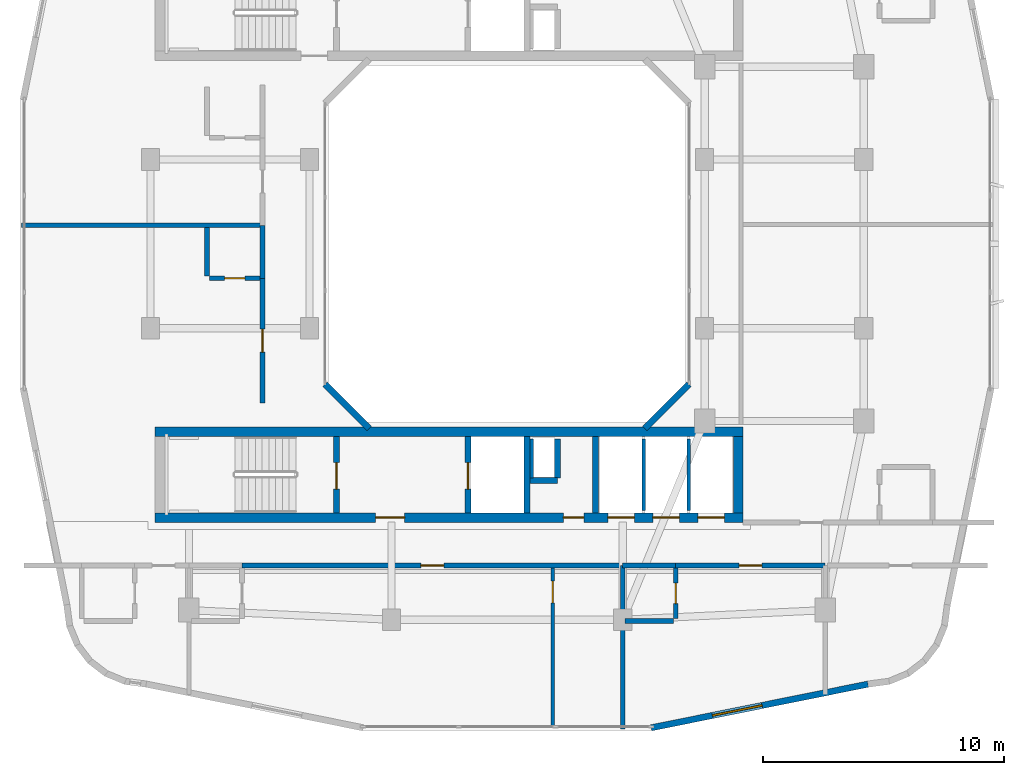
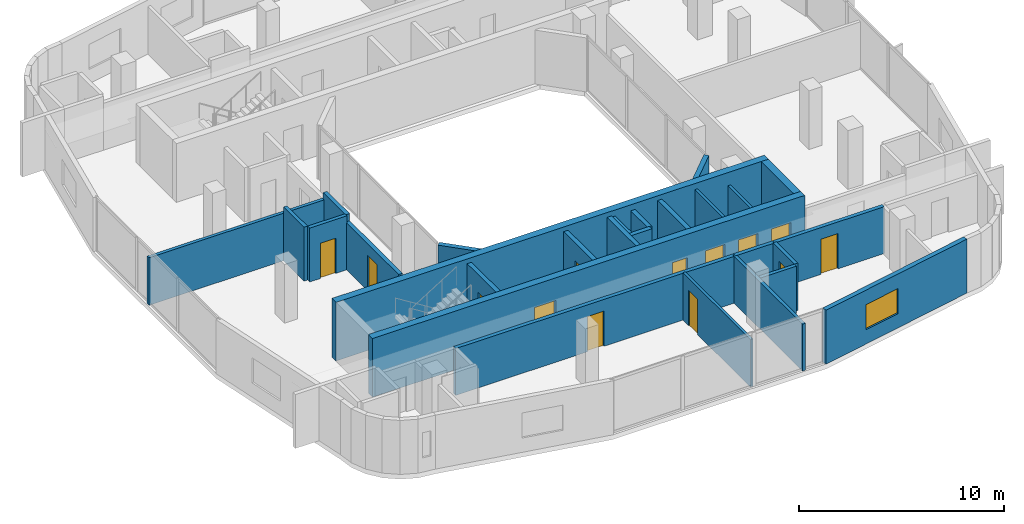
# One storey, part 7 of 14: 27 walls, 13 doors, 1 window, 14 openings.
"""IFC4 building model written with IfcOpenShell, lengths in metres."""

from ifc_helpers import new_model, si_unit, derived_unit, direction, frame, frame_2d, origin, place, context, subcontext, project, spatial, rectangle, extrude, material, layer, layer_set, type_object, element, fill, save


model = new_model("IFC4")

# Units and contexts
model_context = context("Model", 3, precision=1e-05, world=origin(), true_north=direction((0.0, 1.0)))
body_context = subcontext(model_context, "Body", "Model", "MODEL_VIEW")
ifc_project = project(units=[si_unit("LENGTHUNIT", "METRE"), si_unit("AREAUNIT", "SQUARE_METRE"), si_unit("VOLUMEUNIT", "CUBIC_METRE"), si_unit("PLANEANGLEUNIT", "RADIAN"), si_unit("MASSUNIT", "GRAM", prefix="KILO"), derived_unit("THERMALTRANSMITTANCEUNIT", [(si_unit("POWERUNIT", "WATT"), 1), (si_unit("LENGTHUNIT", "METRE"), -2), (si_unit("THERMODYNAMICTEMPERATUREUNIT", "KELVIN"), -1)])], contexts=[model_context])

# Site, building, storey
site_placement = place(None, origin())
site = spatial("IfcSite", under=ifc_project, at=site_placement, CompositionType="ELEMENT")
building_placement = place(site_placement, origin())
building = spatial("IfcBuilding", under=site, at=building_placement, Name="Kivonza Crest Hotel", CompositionType="ELEMENT")
storey_placement = place(building_placement, frame((0.0, 0.0, 141.5)))
storey = spatial("IfcBuildingStorey", under=building, at=storey_placement, Name="L38", CompositionType="ELEMENT", Elevation=141.5)

# Walls
ifc_material_1 = material(Name="High-density acoustic masonry inter-tenancy wall", Category="masonry")
ifc_layer_1 = layer(ifc_material_1, 0.179931640625)
ifc_layer_set_1 = layer_set([ifc_layer_1], Name="High-density acoustic masonry inter-tenancy wall")
wall_type_1 = type_object("IfcWallType", Name="WL-ACOU-180", PredefinedType="SOLIDWALL", material=ifc_layer_set_1)
wall_1_placement = place(storey_placement, frame((25.800048828125, 4.860107421875, 0.0), z_axis=(0.0, 0.0, 1.0), x_axis=(0.0, 1.0, 0.0)))
element("IfcWall", 1, at=wall_1_placement, inside=storey, type_object=wall_type_1, Name="L38 interior partition WA-L38-T1S-DIV2", PredefinedType="SOLIDWALL", context=body_context, shape_type="SweptSolid", body=[
    extrude(rectangle(XDim=6.789794921875, YDim=0.179931640625, at=frame_2d((3.39501953125, 0.0))), origin(), (0.0, 0.0, 1.0), 2.794921875),
])
wall_2_placement = place(storey_placement, frame((0.860107421875, 25.77001953125, 0.0), z_axis=(0.0, 0.0, 1.0), x_axis=(1.0, 0.0, 0.0)))
element("IfcWall", 2, at=wall_2_placement, inside=storey, type_object=wall_type_1, Name="L38 interior partition WA-L38-T1W-DIV1", PredefinedType="SOLIDWALL", context=body_context, shape_type="SweptSolid", body=[
    extrude(rectangle(XDim=9.989990234375, YDim=0.179931640625, at=frame_2d((4.9951171875, 0.0))), origin(), (0.0, 0.0, 1.0), 2.8349609375),
])

# Wall, opening, door
ifc_material_2 = material(Name="Autoclaved aerated concrete blockwork", Category="masonry")
ifc_layer_2 = layer(ifc_material_2, 0.219970703125)
ifc_layer_set_2 = layer_set([ifc_layer_2], Name="Autoclaved aerated concrete blockwork")
wall_type_2 = type_object("IfcWallType", Name="WL-ACOU-220", PredefinedType="SOLIDWALL", material=ifc_layer_set_2)
wall_3_placement = place(storey_placement, frame((10.0, 11.64990234375, 0.0), z_axis=(0.0, 0.0, 1.0), x_axis=(1.0, 0.0, 0.0)))
wall_3 = element("IfcWall", 3, at=wall_3_placement, inside=storey, type_object=wall_type_2, Name="L38 interior partition WA-L38-S05-MCORR", PredefinedType="SOLIDWALL", context=body_context, shape_type="SweptSolid", body=[
    extrude(rectangle(XDim=15.800048828125, YDim=0.219970703125, at=frame_2d((7.89990234375, 0.0))), origin(), (0.0, 0.0, 1.0), 2.794921875),
])
opening_1_placement = place(wall_3_placement, frame((7.425048828125, 0.0, 0.0)))
opening_1 = element("IfcOpeningElement", 4, at=opening_1_placement, cuts=wall_3, Name="Opening DU-60", PredefinedType="OPENING", context=body_context, shape_type="SweptSolid", body=[
    extrude(rectangle(XDim=0.949951171875, YDim=2.10009765625, at=frame_2d((0.47509765625, 1.050048828125))), frame((0.0, 0.1201171875, 0.0), z_axis=(0.0, -1.0, 0.0), x_axis=(1.0, 0.0, 0.0)), (0.0, 0.0, 1.0), 0.239990234375),
])
ifc_material_3 = material(Name="Hardwood timber oak", Category="wood")
door_type_1 = type_object("IfcDoorType", Name="DR-UNIT-950", OperationType="NOTDEFINED", PredefinedType="DOOR", material=ifc_material_3)
door_1_placement = place(opening_1_placement, frame((0.949951171875, 0.0, 0.0), z_axis=(0.0, 0.0, 1.0), x_axis=(-1.0, 0.0, 0.0)))
door_1 = element("IfcDoor", 5, at=door_1_placement, inside=storey, type_object=door_type_1, Name="L38 S05 guest unit entrance fire door", OperationType="SINGLE_SWING_LEFT", OverallHeight=2.10009765625, OverallWidth=0.949951171875, PredefinedType="DOOR", context=body_context, shape_type="SweptSolid", body=[
    extrude(rectangle(XDim=0.949951171875, YDim=2.10009765625, at=frame_2d((0.47509765625, 1.050048828125))), frame((0.0, 0.02490234375, 0.0), z_axis=(0.0, -1.0, 0.0), x_axis=(1.0, 0.0, 0.0)), (0.0, 0.0, 1.0), 0.050048828125),
])
fill(opening_1, door_1)

# Wall
wall_4_placement = place(storey_placement, frame((25.800048828125, 11.64990234375, 0.0), z_axis=(0.0, 0.0, 1.0), x_axis=(1.0, 0.0, 0.0)))
element("IfcWall", 6, at=wall_4_placement, inside=storey, type_object=wall_type_2, Name="L38 interior partition WA-L38-S06-BCORR", PredefinedType="SOLIDWALL", context=body_context, shape_type="SweptSolid", body=[
    extrude(rectangle(XDim=2.199951171875, YDim=0.219970703125, at=frame_2d((1.10009765625, 0.0))), origin(), (0.0, 0.0, 1.0), 2.794921875),
])

# Wall, opening, door
wall_5_placement = place(storey_placement, frame((28.0, 11.64990234375, 0.0), z_axis=(0.0, 0.0, 1.0), x_axis=(1.0, 0.0, 0.0)))
wall_5 = element("IfcWall", 7, at=wall_5_placement, inside=storey, type_object=wall_type_2, Name="L38 interior partition WA-L38-S06-MCORR", PredefinedType="SOLIDWALL", context=body_context, shape_type="SweptSolid", body=[
    extrude(rectangle(XDim=6.199951171875, YDim=0.219970703125, at=frame_2d((3.10009765625, 0.0))), origin(), (0.0, 0.0, 1.0), 2.794921875),
])
opening_2_placement = place(wall_5_placement, frame((2.625, 0.0, 0.0)))
opening_2 = element("IfcOpeningElement", 8, at=opening_2_placement, cuts=wall_5, Name="Opening DU-60", PredefinedType="OPENING", context=body_context, shape_type="SweptSolid", body=[
    extrude(rectangle(XDim=0.949951171875, YDim=2.10009765625, at=frame_2d((0.47509765625, 1.050048828125))), frame((0.0, 0.1201171875, 0.0), z_axis=(0.0, -1.0, 0.0), x_axis=(1.0, 0.0, 0.0)), (0.0, 0.0, 1.0), 0.239990234375),
])
door_2_placement = place(opening_2_placement, frame((0.949951171875, 0.0, 0.0), z_axis=(0.0, 0.0, 1.0), x_axis=(-1.0, 0.0, 0.0)))
door_2 = element("IfcDoor", 9, at=door_2_placement, inside=storey, type_object=door_type_1, Name="L38 S06 guest unit entrance fire door", OperationType="SINGLE_SWING_RIGHT", OverallHeight=2.10009765625, OverallWidth=0.949951171875, PredefinedType="DOOR", context=body_context, shape_type="SweptSolid", body=[
    extrude(rectangle(XDim=0.949951171875, YDim=2.10009765625, at=frame_2d((0.47509765625, 1.050048828125))), frame((0.0, 0.02490234375, 0.0), z_axis=(0.0, -1.0, 0.0), x_axis=(1.0, 0.0, 0.0)), (0.0, 0.0, 1.0), 0.050048828125),
])
fill(opening_2, door_2)

# Wall
wall_6_placement = place(storey_placement, frame((10.85009765625, 23.570068359375, 0.0), z_axis=(0.0, 0.0, 1.0), x_axis=(0.0, 1.0, 0.0)))
element("IfcWall", 10, at=wall_6_placement, inside=storey, type_object=wall_type_2, Name="L38 interior partition WA-L38-W07-BCORR", PredefinedType="SOLIDWALL", context=body_context, shape_type="SweptSolid", body=[
    extrude(rectangle(XDim=2.199951171875, YDim=0.219970703125, at=frame_2d((1.10009765625, 0.0))), origin(), (0.0, 0.0, 1.0), 3.219970703125),
])

# Wall, opening, door
wall_7_placement = place(storey_placement, frame((10.85009765625, 18.39990234375, 0.0), z_axis=(0.0, 0.0, 1.0), x_axis=(0.0, 1.0, 0.0)))
wall_7 = element("IfcWall", 11, at=wall_7_placement, inside=storey, type_object=wall_type_2, Name="L38 interior partition WA-L38-W07-MCORR", PredefinedType="SOLIDWALL", context=body_context, shape_type="SweptSolid", body=[
    extrude(rectangle(XDim=5.170166015625, YDim=0.219970703125, at=frame_2d((2.5849609375, 0.0))), origin(), (0.0, 0.0, 1.0), 2.794921875),
])
opening_3_placement = place(wall_7_placement, frame((2.110107421875, 0.0, 0.0)))
opening_3 = element("IfcOpeningElement", 12, at=opening_3_placement, cuts=wall_7, Name="Opening DU-60", PredefinedType="OPENING", context=body_context, shape_type="SweptSolid", body=[
    extrude(rectangle(XDim=0.949951171875, YDim=2.10009765625, at=frame_2d((0.47509765625, 1.050048828125))), frame((0.0, 0.1201171875, 0.0), z_axis=(0.0, -1.0, 0.0), x_axis=(1.0, 0.0, 0.0)), (0.0, 0.0, 1.0), 0.239990234375),
])
door_3_placement = place(opening_3_placement, origin())
door_3 = element("IfcDoor", 13, at=door_3_placement, inside=storey, type_object=door_type_1, Name="L38 W07 guest unit entrance fire door", OperationType="SINGLE_SWING_LEFT", OverallHeight=2.10009765625, OverallWidth=0.949951171875, PredefinedType="DOOR", context=body_context, shape_type="SweptSolid", body=[
    extrude(rectangle(XDim=0.949951171875, YDim=2.10009765625, at=frame_2d((0.47509765625, 1.050048828125))), frame((0.0, 0.02490234375, 0.0), z_axis=(0.0, -1.0, 0.0), x_axis=(1.0, 0.0, 0.0)), (0.0, 0.0, 1.0), 0.050048828125),
])
fill(opening_3, door_3)

# Wall, openings, doors
ifc_material_4 = material(Name="Concrete C50/60", Category="concrete")
ifc_layer_3 = layer(ifc_material_4, 0.39990234375)
ifc_layer_set_3 = layer_set([ifc_layer_3], Name="Concrete C50/60")
wall_type_3 = type_object("IfcWallType", Name="WL-CORE-400", PredefinedType="SHEAR", material=ifc_layer_set_3)
wall_8_placement = place(storey_placement, frame((6.39990234375, 13.639892578125, 0.0), z_axis=(0.0, 0.0, 1.0), x_axis=(1.0, 0.0, 0.0)))
wall_8 = element("IfcWall", 14, at=wall_8_placement, inside=storey, type_object=wall_type_3, Name="Core wall T1-S South L38", PredefinedType="SHEAR", context=body_context, shape_type="SweptSolid", body=[
    extrude(rectangle(XDim=24.400146484375, YDim=0.39990234375, at=frame_2d((12.2001953125, 0.0))), origin(), (0.0, 0.0, 1.0), 3.5),
])
opening_4_placement = place(wall_8_placement, frame((9.14990234375, 0.0, 0.0)))
opening_4 = element("IfcOpeningElement", 15, at=opening_4_placement, cuts=wall_8, Name="Opening DF-60", PredefinedType="OPENING", context=body_context, shape_type="SweptSolid", body=[
    extrude(rectangle(XDim=1.199951171875, YDim=2.14990234375, at=frame_2d((0.60009765625, 1.074951171875))), frame((0.0, 0.2099609375, 0.0), z_axis=(0.0, -1.0, 0.0), x_axis=(1.0, 0.0, 0.0)), (0.0, 0.0, 1.0), 0.419921875),
])
opening_5_placement = place(wall_8_placement, frame((16.93994140625, 0.0, 0.0)))
opening_5 = element("IfcOpeningElement", 16, at=opening_5_placement, cuts=wall_8, Name="Opening DF-60R", PredefinedType="OPENING", context=body_context, shape_type="SweptSolid", body=[
    extrude(rectangle(XDim=0.85009765625, YDim=2.10009765625, at=frame_2d((0.425048828125, 1.050048828125))), frame((0.0, 0.2099609375, 0.0), z_axis=(0.0, -1.0, 0.0), x_axis=(1.0, 0.0, 0.0)), (0.0, 0.0, 1.0), 0.419921875),
])
opening_6_placement = place(wall_8_placement, frame((18.782958984375, 0.0, 0.0)))
opening_6 = element("IfcOpeningElement", 17, at=opening_6_placement, cuts=wall_8, Name="Opening LD-120", PredefinedType="OPENING", context=body_context, shape_type="SweptSolid", body=[
    extrude(rectangle(XDim=1.10009765625, YDim=2.14990234375, at=frame_2d((0.550048828125, 1.074951171875))), frame((0.0, 0.2099609375, 0.0), z_axis=(0.0, -1.0, 0.0), x_axis=(1.0, 0.0, 0.0)), (0.0, 0.0, 1.0), 0.419921875),
])
opening_7_placement = place(wall_8_placement, frame((20.64990234375, 0.0, 0.0)))
opening_7 = element("IfcOpeningElement", 18, at=opening_7_placement, cuts=wall_8, Name="Opening LD-120", PredefinedType="OPENING", context=body_context, shape_type="SweptSolid", body=[
    extrude(rectangle(XDim=1.10009765625, YDim=2.14990234375, at=frame_2d((0.550048828125, 1.074951171875))), frame((0.0, 0.2099609375, 0.0), z_axis=(0.0, -1.0, 0.0), x_axis=(1.0, 0.0, 0.0)), (0.0, 0.0, 1.0), 0.419921875),
])
opening_8_placement = place(wall_8_placement, frame((22.51708984375, 0.0, 0.0)))
opening_8 = element("IfcOpeningElement", 19, at=opening_8_placement, cuts=wall_8, Name="Opening LD-120", PredefinedType="OPENING", context=body_context, shape_type="SweptSolid", body=[
    extrude(rectangle(XDim=1.10009765625, YDim=2.14990234375, at=frame_2d((0.550048828125, 1.074951171875))), frame((0.0, 0.2099609375, 0.0), z_axis=(0.0, -1.0, 0.0), x_axis=(1.0, 0.0, 0.0)), (0.0, 0.0, 1.0), 0.419921875),
])
door_type_2 = type_object("IfcDoorType", Name="DR-FD60-1200", OperationType="NOTDEFINED", PredefinedType="DOOR", material=ifc_material_3)
door_4_placement = place(opening_4_placement, frame((1.199951171875, 0.0, 0.0), z_axis=(0.0, 0.0, 1.0), x_axis=(-1.0, 0.0, 0.0)))
door_4 = element("IfcDoor", 20, at=door_4_placement, inside=storey, type_object=door_type_2, Name="L38 T1-S firefighting lobby fire door", OperationType="SINGLE_SWING_LEFT", OverallHeight=2.14990234375, OverallWidth=1.199951171875, PredefinedType="DOOR", context=body_context, shape_type="SweptSolid", body=[
    extrude(rectangle(XDim=1.199951171875, YDim=2.14990234375, at=frame_2d((0.60009765625, 1.074951171875))), frame((0.0, 0.02490234375, 0.0), z_axis=(0.0, -1.0, 0.0), x_axis=(1.0, 0.0, 0.0)), (0.0, 0.0, 1.0), 0.050048828125),
])
fill(opening_4, door_4)
door_type_3 = type_object("IfcDoorType", Name="DR-FD60-850", OperationType="NOTDEFINED", PredefinedType="DOOR", material=ifc_material_3)
door_5_placement = place(opening_5_placement, frame((0.85009765625, 0.0, 0.0), z_axis=(0.0, 0.0, 1.0), x_axis=(-1.0, 0.0, 0.0)))
door_5 = element("IfcDoor", 21, at=door_5_placement, inside=storey, type_object=door_type_3, Name="L38 T1-S core room door", OperationType="SINGLE_SWING_RIGHT", OverallHeight=2.10009765625, OverallWidth=0.85009765625, PredefinedType="DOOR", context=body_context, shape_type="SweptSolid", body=[
    extrude(rectangle(XDim=0.85009765625, YDim=2.10009765625, at=frame_2d((0.425048828125, 1.050048828125))), frame((0.0, 0.02490234375, 0.0), z_axis=(0.0, -1.0, 0.0), x_axis=(1.0, 0.0, 0.0)), (0.0, 0.0, 1.0), 0.050048828125),
])
fill(opening_5, door_5)
ifc_material_5 = material(Name="Stainless steel", Category="steel")
door_type_4 = type_object("IfcDoorType", Name="DR-LD120-1100", OperationType="NOTDEFINED", PredefinedType="DOOR", material=ifc_material_5)
door_6_placement = place(opening_6_placement, frame((1.10009765625, 0.0, 0.0), z_axis=(0.0, 0.0, 1.0), x_axis=(-1.0, 0.0, 0.0)))
door_6 = element("IfcDoor", 22, at=door_6_placement, inside=storey, type_object=door_type_4, Name="L38 PL-T1-H1 passenger lift sliding landing door", OperationType="DOUBLE_DOOR_SLIDING", OverallHeight=2.14990234375, OverallWidth=1.10009765625, PredefinedType="DOOR", context=body_context, shape_type="SweptSolid", body=[
    extrude(rectangle(XDim=1.10009765625, YDim=2.14990234375, at=frame_2d((0.550048828125, 1.074951171875))), frame((0.0, 0.02490234375, 0.0), z_axis=(0.0, -1.0, 0.0), x_axis=(1.0, 0.0, 0.0)), (0.0, 0.0, 1.0), 0.050048828125),
])
fill(opening_6, door_6)
door_7_placement = place(opening_7_placement, frame((1.10009765625, 0.0, 0.0), z_axis=(0.0, 0.0, 1.0), x_axis=(-1.0, 0.0, 0.0)))
door_7 = element("IfcDoor", 23, at=door_7_placement, inside=storey, type_object=door_type_4, Name="L38 PL-T1-H2 passenger lift sliding landing door", OperationType="DOUBLE_DOOR_SLIDING", OverallHeight=2.14990234375, OverallWidth=1.10009765625, PredefinedType="DOOR", context=body_context, shape_type="SweptSolid", body=[
    extrude(rectangle(XDim=1.10009765625, YDim=2.14990234375, at=frame_2d((0.550048828125, 1.074951171875))), frame((0.0, 0.02490234375, 0.0), z_axis=(0.0, -1.0, 0.0), x_axis=(1.0, 0.0, 0.0)), (0.0, 0.0, 1.0), 0.050048828125),
])
fill(opening_7, door_7)
door_8_placement = place(opening_8_placement, frame((1.10009765625, 0.0, 0.0), z_axis=(0.0, 0.0, 1.0), x_axis=(-1.0, 0.0, 0.0)))
door_8 = element("IfcDoor", 24, at=door_8_placement, inside=storey, type_object=door_type_4, Name="L38 PL-T1-H3 passenger lift sliding landing door", OperationType="DOUBLE_DOOR_SLIDING", OverallHeight=2.14990234375, OverallWidth=1.10009765625, PredefinedType="DOOR", context=body_context, shape_type="SweptSolid", body=[
    extrude(rectangle(XDim=1.10009765625, YDim=2.14990234375, at=frame_2d((0.550048828125, 1.074951171875))), frame((0.0, 0.02490234375, 0.0), z_axis=(0.0, -1.0, 0.0), x_axis=(1.0, 0.0, 0.0)), (0.0, 0.0, 1.0), 0.050048828125),
])
fill(opening_8, door_8)

# Walls
wall_9_placement = place(storey_placement, frame((6.39990234375, 17.199951171875, 0.0), z_axis=(0.0, 0.0, 1.0), x_axis=(1.0, 0.0, 0.0)))
element("IfcWall", 25, at=wall_9_placement, inside=storey, type_object=wall_type_3, Name="Core wall T1-S North L38", PredefinedType="SHEAR", context=body_context, shape_type="SweptSolid", body=[
    extrude(rectangle(XDim=24.400146484375, YDim=0.39990234375, at=frame_2d((12.2001953125, 0.0))), origin(), (0.0, 0.0, 1.0), 3.5),
])
wall_10_placement = place(storey_placement, frame((30.60009765625, 13.840087890625, 0.0), z_axis=(0.0, 0.0, 1.0), x_axis=(0.0, 1.0, 0.0)))
element("IfcWall", 26, at=wall_10_placement, inside=storey, type_object=wall_type_3, Name="Core wall T1-S East L38", PredefinedType="SHEAR", context=body_context, shape_type="SweptSolid", body=[
    extrude(rectangle(XDim=3.159912109375, YDim=0.39990234375, at=frame_2d((1.580078125, 0.0))), origin(), (0.0, 0.0, 1.0), 3.5),
])

# Wall, opening, window
ifc_material_6 = material(Name="Precast concrete C40/50", Category="concrete")
ifc_layer_4 = layer(ifc_material_6, 0.260009765625)
ifc_layer_set_4 = layer_set([ifc_layer_4], Name="Precast concrete C40/50")
wall_type_4 = type_object("IfcWallType", Name="WL-EXT-260", PredefinedType="STANDARD", material=ifc_layer_set_4)
wall_11_placement = place(storey_placement, frame((26.97998046875, 4.916015625, 0.0), z_axis=(0.0, 0.0, 1.0), x_axis=(0.980315963543, 0.197435082048, 0.0)))
wall_11 = element("IfcWall", 27, at=wall_11_placement, inside=storey, type_object=wall_type_4, Name="L38 T1 exterior insulated wall 9", PredefinedType="STANDARD", context=body_context, shape_type="SweptSolid", body=[
    extrude(rectangle(XDim=9.1826171875, YDim=0.260009765625, at=frame_2d((4.59130859375, 0.0))), origin(), (0.0, 0.0, 1.0), 3.219970703125),
])
opening_9_placement = place(wall_11_placement, frame((2.594970703125, 0.0, 0.85009765625)))
opening_9 = element("IfcOpeningElement", 28, at=opening_9_placement, cuts=wall_11, Name="Opening WN-04", PredefinedType="OPENING", context=body_context, shape_type="SweptSolid", body=[
    extrude(rectangle(XDim=2.10009765625, YDim=1.5, at=frame_2d((1.050048828125, 0.75))), frame((0.0, 0.14013671875, 0.0), z_axis=(0.0, -1.0, 0.0), x_axis=(1.0, 0.0, 0.0)), (0.0, 0.0, 1.0), 0.280029296875),
])
ifc_material_7 = material(Name="Thermally broken bronze aluminium and low-E double glazing", Category="aluminium")
window_type = type_object("IfcWindowType", Name="WN-210x150", PartitioningType="DOUBLE_PANEL_VERTICAL", PredefinedType="WINDOW", material=ifc_material_7)
window_placement = place(opening_9_placement, origin())
window = element("IfcWindow", 29, at=window_placement, inside=storey, type_object=window_type, Name="L38 T1 facade window 9", OverallHeight=1.5, OverallWidth=2.10009765625, PartitioningType="SINGLE_PANEL", PredefinedType="WINDOW", context=body_context, shape_type="SweptSolid", body=[
    extrude(rectangle(XDim=2.10009765625, YDim=1.5, at=frame_2d((1.050048828125, 0.75))), frame((0.0, 0.030029296875, 0.0), z_axis=(0.0, -1.0, 0.0), x_axis=(1.0, 0.0, 0.0)), (0.0, 0.0, 1.0), 0.06005859375),
])
fill(opening_9, window)

# Walls
for number, where, z_axis, x_axis, name in (
    (30, (26.721923828125, 17.337890625, 0.0), (0.0, 0.0, 1.0), (0.707059717605, 0.707153841636, 0.0), "L38 T1 light-well exterior wall 2"),
    (31, (13.444091796875, 19.172119140625, 0.0), (0.0, 0.0, 1.0), (0.707059717605, -0.707153841636, 0.0), "L38 T1 light-well exterior wall 8"),
):
    element("IfcWall", number, at=place(storey_placement, frame(where, z_axis=z_axis, x_axis=x_axis)), inside=storey, type_object=wall_type_4, Name=name, PredefinedType="STANDARD", context=body_context, shape_type="SweptSolid", body=[
        extrude(rectangle(XDim=2.59375, YDim=0.260009765625, at=frame_2d((1.296875, 0.0))), origin(), (0.0, 0.0, 1.0), 3.219970703125),
    ])
ifc_material_8 = material(Name="Concrete blockwork fire-compartment wall", Category="masonry")
ifc_layer_5 = layer(ifc_material_8, 0.25)
ifc_layer_set_5 = layer_set([ifc_layer_5], Name="Concrete blockwork fire-compartment wall")
wall_type_5 = type_object("IfcWallType", Name="WL-FIRE-250", PredefinedType="SOLIDWALL", material=ifc_layer_set_5)
wall_12_placement = place(storey_placement, frame((23.10009765625, 15.280029296875, 0.0), z_axis=(0.0, 0.0, 1.0), x_axis=(0.0, 1.0, 0.0)))
element("IfcWall", 32, at=wall_12_placement, inside=storey, type_object=wall_type_5, Name="L38 interior partition WA-L38-T1-S-MEPR-E", PredefinedType="SOLIDWALL", context=body_context, shape_type="SweptSolid", body=[
    extrude(rectangle(XDim=1.619873046875, YDim=0.25, at=frame_2d((0.81005859375, 0.0))), origin(), (0.0, 0.0, 1.0), 3.219970703125),
])
wall_13_placement = place(storey_placement, frame((21.949951171875, 15.179931640625, 0.0), z_axis=(0.0, 0.0, 1.0), x_axis=(1.0, 0.0, 0.0)))
element("IfcWall", 33, at=wall_13_placement, inside=storey, type_object=wall_type_5, Name="L38 interior partition WA-L38-T1-S-MEPR-H", PredefinedType="SOLIDWALL", context=body_context, shape_type="SweptSolid", body=[
    extrude(rectangle(XDim=1.150146484375, YDim=0.25, at=frame_2d((0.5751953125, 0.0))), origin(), (0.0, 0.0, 1.0), 3.219970703125),
])
ifc_material_9 = material(Name="Twin-stud acoustic gypsum board partition", Category="gypsum")
ifc_layer_6 = layer(ifc_material_9, 0.14990234375)
ifc_layer_set_6 = layer_set([ifc_layer_6], Name="Twin-stud acoustic gypsum board partition")
wall_type_6 = type_object("IfcWallType", Name="WL-PART-150", PredefinedType="PARTITIONING", material=ifc_layer_set_6)
wall_14_placement = place(storey_placement, frame((22.030029296875, 15.280029296875, 0.0), z_axis=(0.0, 0.0, 1.0), x_axis=(0.0, 1.0, 0.0)))
element("IfcWall", 34, at=wall_14_placement, inside=storey, type_object=wall_type_6, Name="L38 interior partition WA-L38-T1-S-MEPR-W", PredefinedType="PARTITIONING", context=body_context, shape_type="SweptSolid", body=[
    extrude(rectangle(XDim=1.619873046875, YDim=0.14990234375, at=frame_2d((0.81005859375, 0.0))), origin(), (0.0, 0.0, 1.0), 3.219970703125),
])
wall_15_placement = place(storey_placement, frame((26.6669921875, 13.93994140625, 0.0), z_axis=(0.0, 0.0, 1.0), x_axis=(0.0, 1.0, 0.0)))
element("IfcWall", 35, at=wall_15_placement, inside=storey, type_object=wall_type_6, Name="L38 interior partition WP-L38-T1-S-BSH-1", PredefinedType="PARTITIONING", context=body_context, shape_type="SweptSolid", body=[
    extrude(rectangle(XDim=2.9599609375, YDim=0.14990234375, at=frame_2d((1.47998046875, 0.0))), origin(), (0.0, 0.0, 1.0), 3.219970703125),
])
wall_16_placement = place(storey_placement, frame((28.532958984375, 13.93994140625, 0.0), z_axis=(0.0, 0.0, 1.0), x_axis=(0.0, 1.0, 0.0)))
element("IfcWall", 36, at=wall_16_placement, inside=storey, type_object=wall_type_6, Name="L38 interior partition WP-L38-T1-S-BSH-2", PredefinedType="PARTITIONING", context=body_context, shape_type="SweptSolid", body=[
    extrude(rectangle(XDim=2.9599609375, YDim=0.14990234375, at=frame_2d((1.47998046875, 0.0))), origin(), (0.0, 0.0, 1.0), 2.794921875),
])

# Wall, opening, door
wall_17_placement = place(storey_placement, frame((22.89990234375, 4.9599609375, 0.0), z_axis=(0.0, 0.0, 1.0), x_axis=(0.0, 1.0, 0.0)))
wall_17 = element("IfcWall", 37, at=wall_17_placement, inside=storey, type_object=wall_type_6, Name="L38 interior partition WP-L38-S05-SPSP", PredefinedType="PARTITIONING", context=body_context, shape_type="SweptSolid", body=[
    extrude(rectangle(XDim=6.590087890625, YDim=0.14990234375, at=frame_2d((3.294921875, 0.0))), origin(), (0.0, 0.0, 1.0), 2.8349609375),
])
opening_10_placement = place(wall_17_placement, frame((5.139892578125, 0.0, 0.0)))
opening_10 = element("IfcOpeningElement", 38, at=opening_10_placement, cuts=wall_17, Name="Opening DI-90", PredefinedType="OPENING", context=body_context, shape_type="SweptSolid", body=[
    extrude(rectangle(XDim=0.89990234375, YDim=2.10009765625, at=frame_2d((0.449951171875, 1.050048828125))), frame((0.0, 0.0849609375, 0.0), z_axis=(0.0, -1.0, 0.0), x_axis=(1.0, 0.0, 0.0)), (0.0, 0.0, 1.0), 0.169921875),
])
door_type_5 = type_object("IfcDoorType", Name="DR-INT-900", OperationType="NOTDEFINED", PredefinedType="DOOR", material=ifc_material_3)
door_9_placement = place(opening_10_placement, origin())
door_9 = element("IfcDoor", 39, at=door_9_placement, inside=storey, type_object=door_type_5, Name="L38 S05 suite bedroom door", OperationType="SINGLE_SWING_RIGHT", OverallHeight=2.10009765625, OverallWidth=0.89990234375, PredefinedType="DOOR", context=body_context, shape_type="SweptSolid", body=[
    extrude(rectangle(XDim=0.89990234375, YDim=2.10009765625, at=frame_2d((0.449951171875, 1.050048828125))), frame((0.0, 0.02490234375, 0.0), z_axis=(0.0, -1.0, 0.0), x_axis=(1.0, 0.0, 0.0)), (0.0, 0.0, 1.0), 0.050048828125),
])
fill(opening_10, door_9)

ifc_material_10 = material(Name="Moisture-resistant plumbing chase partition wall", Category="gypsum")
ifc_layer_7 = layer(ifc_material_10, 0.199951171875)
ifc_layer_set_7 = layer_set([ifc_layer_7], Name="Moisture-resistant plumbing chase partition wall")
wall_type_7 = type_object("IfcWallType", Name="WL-PLUMB-200", PredefinedType="PLUMBINGWALL", material=ifc_layer_set_7)
wall_18_placement = place(storey_placement, frame((28.0, 9.449951171875, 0.0), z_axis=(0.0, 0.0, 1.0), x_axis=(0.0, 1.0, 0.0)))
wall_18 = element("IfcWall", 40, at=wall_18_placement, inside=storey, type_object=wall_type_7, Name="L38 interior partition WW-L38-S06-BV", PredefinedType="PLUMBINGWALL", context=body_context, shape_type="SweptSolid", body=[
    extrude(rectangle(XDim=2.10009765625, YDim=0.199951171875, at=frame_2d((1.050048828125, 0.0))), origin(), (0.0, 0.0, 1.0), 2.8349609375),
])
opening_11_placement = place(wall_18_placement, frame((0.625, 0.0, 0.0)))
opening_11 = element("IfcOpeningElement", 41, at=opening_11_placement, cuts=wall_18, Name="Opening DI-85", PredefinedType="OPENING", context=body_context, shape_type="SweptSolid", body=[
    extrude(rectangle(XDim=0.85009765625, YDim=2.10009765625, at=frame_2d((0.425048828125, 1.050048828125))), frame((0.0, 0.10986328125, 0.0), z_axis=(0.0, -1.0, 0.0), x_axis=(1.0, 0.0, 0.0)), (0.0, 0.0, 1.0), 0.219970703125),
])
door_type_6 = type_object("IfcDoorType", Name="DR-INT-850", OperationType="NOTDEFINED", PredefinedType="DOOR", material=ifc_material_3)
door_10_placement = place(opening_11_placement, frame((0.85009765625, 0.0, 0.0), z_axis=(0.0, 0.0, 1.0), x_axis=(-1.0, 0.0, 0.0)))
door_10 = element("IfcDoor", 42, at=door_10_placement, inside=storey, type_object=door_type_6, Name="L38 S06 en-suite bathroom door", OperationType="SINGLE_SWING_LEFT", OverallHeight=2.10009765625, OverallWidth=0.85009765625, PredefinedType="DOOR", context=body_context, shape_type="SweptSolid", body=[
    extrude(rectangle(XDim=0.85009765625, YDim=2.10009765625, at=frame_2d((0.425048828125, 1.050048828125))), frame((0.0, 0.02490234375, 0.0), z_axis=(0.0, -1.0, 0.0), x_axis=(1.0, 0.0, 0.0)), (0.0, 0.0, 1.0), 0.050048828125),
])
fill(opening_11, door_10)

# Wall
wall_19_placement = place(storey_placement, frame((25.89990234375, 9.35009765625, 0.0), z_axis=(0.0, 0.0, 1.0), x_axis=(1.0, 0.0, 0.0)))
element("IfcWall", 43, at=wall_19_placement, inside=storey, type_object=wall_type_7, Name="L38 interior partition WW-L38-S06-BH", PredefinedType="PLUMBINGWALL", context=body_context, shape_type="SweptSolid", body=[
    extrude(rectangle(XDim=2.0, YDim=0.199951171875, at=frame_2d((1.0, 0.0))), origin(), (0.0, 0.0, 1.0), 2.8349609375),
])

# Wall, opening, door
wall_20_placement = place(storey_placement, frame((8.64990234375, 23.570068359375, 0.0), z_axis=(0.0, 0.0, 1.0), x_axis=(1.0, 0.0, 0.0)))
wall_20 = element("IfcWall", 44, at=wall_20_placement, inside=storey, type_object=wall_type_7, Name="L38 interior partition WW-L38-W07-BH", PredefinedType="PLUMBINGWALL", context=body_context, shape_type="SweptSolid", body=[
    extrude(rectangle(XDim=2.10009765625, YDim=0.199951171875, at=frame_2d((1.050048828125, 0.0))), origin(), (0.0, 0.0, 1.0), 3.219970703125),
])
opening_12_placement = place(wall_20_placement, frame((0.625, 0.0, 0.0)))
opening_12 = element("IfcOpeningElement", 45, at=opening_12_placement, cuts=wall_20, Name="Opening DI-85", PredefinedType="OPENING", context=body_context, shape_type="SweptSolid", body=[
    extrude(rectangle(XDim=0.85009765625, YDim=2.10009765625, at=frame_2d((0.425048828125, 1.050048828125))), frame((0.0, 0.10986328125, 0.0), z_axis=(0.0, -1.0, 0.0), x_axis=(1.0, 0.0, 0.0)), (0.0, 0.0, 1.0), 0.219970703125),
])
door_11_placement = place(opening_12_placement, frame((0.85009765625, 0.0, 0.0), z_axis=(0.0, 0.0, 1.0), x_axis=(-1.0, 0.0, 0.0)))
door_11 = element("IfcDoor", 46, at=door_11_placement, inside=storey, type_object=door_type_6, Name="L38 W07 en-suite bathroom door", OperationType="SINGLE_SWING_RIGHT", OverallHeight=2.10009765625, OverallWidth=0.85009765625, PredefinedType="DOOR", context=body_context, shape_type="SweptSolid", body=[
    extrude(rectangle(XDim=0.85009765625, YDim=2.10009765625, at=frame_2d((0.425048828125, 1.050048828125))), frame((0.0, 0.02490234375, 0.0), z_axis=(0.0, -1.0, 0.0), x_axis=(1.0, 0.0, 0.0)), (0.0, 0.0, 1.0), 0.050048828125),
])
fill(opening_12, door_11)

# Wall
wall_21_placement = place(storey_placement, frame((8.550048828125, 23.669921875, 0.0), z_axis=(0.0, 0.0, 1.0), x_axis=(0.0, 1.0, 0.0)))
element("IfcWall", 47, at=wall_21_placement, inside=storey, type_object=wall_type_7, Name="L38 interior partition WW-L38-W07-BV", PredefinedType="PLUMBINGWALL", context=body_context, shape_type="SweptSolid", body=[
    extrude(rectangle(XDim=2.0, YDim=0.199951171875, at=frame_2d((1.0, 0.0))), origin(), (0.0, 0.0, 1.0), 3.219970703125),
])

# Wall, opening, door
ifc_layer_8 = layer(ifc_material_4, 0.25)
ifc_layer_set_8 = layer_set([ifc_layer_8], Name="Concrete C50/60")
wall_type_8 = type_object("IfcWallType", Name="WL-SHAFT-250", PredefinedType="STANDARD", material=ifc_layer_set_8)
wall_22_placement = place(storey_placement, frame((13.925048828125, 13.840087890625, 0.0), z_axis=(0.0, 0.0, 1.0), x_axis=(0.0, 1.0, 0.0)))
wall_22 = element("IfcWall", 48, at=wall_22_placement, inside=storey, type_object=wall_type_8, Name="Core shaft wall T1-S STAIR L38", PredefinedType="STANDARD", context=body_context, shape_type="SweptSolid", body=[
    extrude(rectangle(XDim=3.159912109375, YDim=0.25, at=frame_2d((1.580078125, 0.0))), origin(), (0.0, 0.0, 1.0), 3.219970703125),
])
opening_13_placement = place(wall_22_placement, frame((0.97998046875, 0.0, 0.0)))
opening_13 = element("IfcOpeningElement", 49, at=opening_13_placement, cuts=wall_22, Name="Opening DF-120", PredefinedType="OPENING", context=body_context, shape_type="SweptSolid", body=[
    extrude(rectangle(XDim=1.10009765625, YDim=2.14990234375, at=frame_2d((0.550048828125, 1.074951171875))), frame((0.0, 0.135009765625, 0.0), z_axis=(0.0, -1.0, 0.0), x_axis=(1.0, 0.0, 0.0)), (0.0, 0.0, 1.0), 0.27001953125),
])
ifc_material_11 = material(Name="Galvanised steel", Category="steel")
door_type_7 = type_object("IfcDoorType", Name="DR-FD120-1100", OperationType="NOTDEFINED", PredefinedType="DOOR", material=ifc_material_11)
door_12_placement = place(opening_13_placement, frame((1.10009765625, 0.0, 0.0), z_axis=(0.0, 0.0, 1.0), x_axis=(-1.0, 0.0, 0.0)))
door_12 = element("IfcDoor", 50, at=door_12_placement, inside=storey, type_object=door_type_7, Name="L38 T1-S stair fire door", OperationType="SINGLE_SWING_RIGHT", OverallHeight=2.14990234375, OverallWidth=1.10009765625, PredefinedType="DOOR", context=body_context, shape_type="SweptSolid", body=[
    extrude(rectangle(XDim=1.10009765625, YDim=2.14990234375, at=frame_2d((0.550048828125, 1.074951171875))), frame((0.0, 0.02490234375, 0.0), z_axis=(0.0, -1.0, 0.0), x_axis=(1.0, 0.0, 0.0)), (0.0, 0.0, 1.0), 0.050048828125),
])
fill(opening_13, door_12)

wall_23_placement = place(storey_placement, frame((19.375, 13.840087890625, 0.0), z_axis=(0.0, 0.0, 1.0), x_axis=(0.0, 1.0, 0.0)))
wall_23 = element("IfcWall", 51, at=wall_23_placement, inside=storey, type_object=wall_type_8, Name="Core shaft wall T1-S FFL-W L38", PredefinedType="STANDARD", context=body_context, shape_type="SweptSolid", body=[
    extrude(rectangle(XDim=3.159912109375, YDim=0.25, at=frame_2d((1.580078125, 0.0))), origin(), (0.0, 0.0, 1.0), 3.219970703125),
])
opening_14_placement = place(wall_23_placement, frame((0.97998046875, 0.0, 0.0)))
opening_14 = element("IfcOpeningElement", 52, at=opening_14_placement, cuts=wall_23, Name="Opening LD-120", PredefinedType="OPENING", context=body_context, shape_type="SweptSolid", body=[
    extrude(rectangle(XDim=1.10009765625, YDim=2.14990234375, at=frame_2d((0.550048828125, 1.074951171875))), frame((0.0, 0.135009765625, 0.0), z_axis=(0.0, -1.0, 0.0), x_axis=(1.0, 0.0, 0.0)), (0.0, 0.0, 1.0), 0.27001953125),
])
door_13_placement = place(opening_14_placement, origin())
door_13 = element("IfcDoor", 53, at=door_13_placement, inside=storey, type_object=door_type_4, Name="L38 FFL-T1-S firefighting lift sliding landing door", OperationType="DOUBLE_DOOR_SLIDING", OverallHeight=2.14990234375, OverallWidth=1.10009765625, PredefinedType="DOOR", context=body_context, shape_type="SweptSolid", body=[
    extrude(rectangle(XDim=1.10009765625, YDim=2.14990234375, at=frame_2d((0.550048828125, 1.074951171875))), frame((0.0, 0.02490234375, 0.0), z_axis=(0.0, -1.0, 0.0), x_axis=(1.0, 0.0, 0.0)), (0.0, 0.0, 1.0), 0.050048828125),
])
fill(opening_14, door_13)

# Walls
for number, where, z_axis, x_axis, name in (
    (54, (21.824951171875, 13.840087890625, 0.0), (0.0, 0.0, 1.0), (0.0, 1.0, 0.0), "Core shaft wall T1-S FFL-E L38"),
    (55, (24.675048828125, 13.840087890625, 0.0), (0.0, 0.0, 1.0), (0.0, 1.0, 0.0), "Core shaft wall T1-S BANK-W L38"),
):
    element("IfcWall", number, at=place(storey_placement, frame(where, z_axis=z_axis, x_axis=x_axis)), inside=storey, type_object=wall_type_8, Name=name, PredefinedType="STANDARD", context=body_context, shape_type="SweptSolid", body=[
        extrude(rectangle(XDim=3.159912109375, YDim=0.25, at=frame_2d((1.580078125, 0.0))), origin(), (0.0, 0.0, 1.0), 3.219970703125),
    ])

save(model, "model.ifc")
